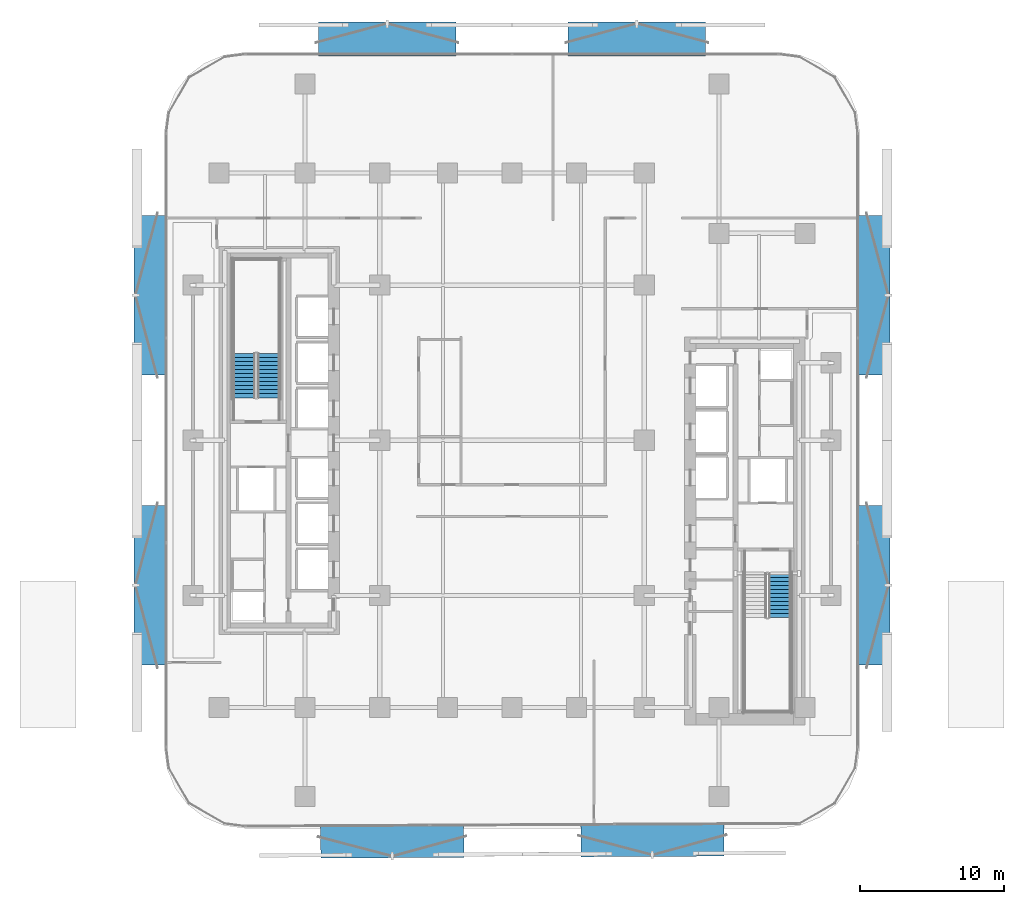
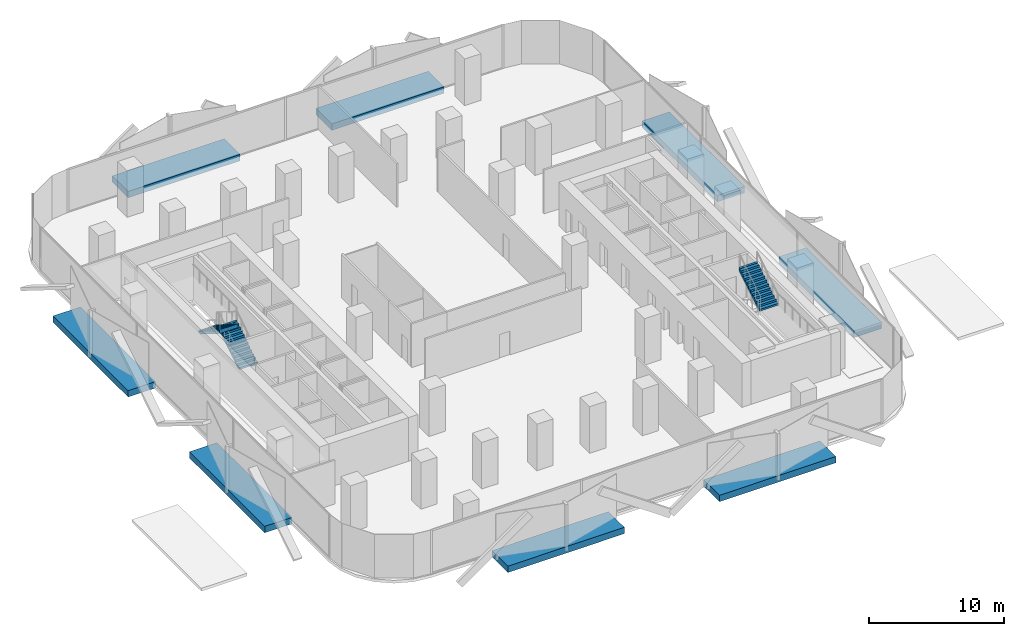
# One storey, part 6 of 16: 8 discrete accessories, 3 stair flights, 2 elements without a shape of their own.
"""IFC4 building model written with IfcOpenShell, lengths in metres."""

from ifc_helpers import new_model, si_unit, direction, frame, origin, origin_2d, place, context, subcontext, project, spatial, polyline, rectangle, outline, extrude, material, layer, layer_set, type_object, element, aggregate, save


model = new_model("IFC4")

# Units and contexts
model_context = context("Model", 3, precision=1e-05, world=origin(), true_north=direction((0.0, 1.0)))
body_context = subcontext(model_context, "Body", "Model", "MODEL_VIEW")
ifc_project = project(units=[si_unit("LENGTHUNIT", "METRE"), si_unit("AREAUNIT", "SQUARE_METRE"), si_unit("VOLUMEUNIT", "CUBIC_METRE"), si_unit("PLANEANGLEUNIT", "RADIAN"), si_unit("MASSUNIT", "GRAM", prefix="KILO")], contexts=[model_context])

# Site, building, storey
site_placement = place(None, origin())
site = spatial("IfcSite", under=ifc_project, at=site_placement, CompositionType="ELEMENT")
building_placement = place(site_placement, origin())
building = spatial("IfcBuilding", under=site, at=building_placement, Name="Khairoan Windgate Tower", CompositionType="ELEMENT")
storey_placement = place(building_placement, frame((0.0, 0.0, 26.0)))
storey = spatial("IfcBuildingStorey", under=building, at=storey_placement, Name="L06", CompositionType="ELEMENT", Elevation=26.0)

# Stair, stair flight
ifc_material_1 = material(Name="Concrete C40/50", Category="concrete")
stair_type = type_object("IfcStairType", Name="Tower Core Dog-Leg Stair ST-T1 1560mm", PredefinedType="HALF_TURN_STAIR", material=ifc_material_1)
stair_1_placement = place(storey_placement, origin())
stair_1 = element("IfcStair", 1, at=stair_1_placement, inside=storey, type_object=stair_type, Name="L06 Stair ST1", PredefinedType="HALF_TURN_STAIR")
ifc_material_2 = material(Name="Concrete C40/50", Category="concrete")
ifc_layer = layer(ifc_material_2, 0.14990234375, Name="Concrete C40/50")
ifc_layer_set = layer_set([ifc_layer], Name="Concrete C40/50")
stair_flight_type = type_object("IfcStairFlightType", Name="Tower Core Stair Flight STF-1560", PredefinedType="STRAIGHT", material=ifc_layer_set)
stair_flight_1_placement = place(storey_placement, frame((18.639892578125, -12.340087890625, 2.10009765625), z_axis=(0.0, 0.0, 1.0), x_axis=(0.0, 1.0, 0.0)))
stair_flight_1 = element("IfcStairFlight", 2, at=stair_flight_1_placement, type_object=stair_flight_type, Name="ST1 flight 2", NumberOfRisers=12, NumberOfTreads=11, PredefinedType="STRAIGHT", RiserHeight=0.175, TreadLength=0.28, context=body_context, shape_type="SweptSolid", body=[
    extrude(outline(polyline([(-0.00390625, 0.0), (-0.00390625, 0.175048828125), (0.0, 0.175048828125), (0.280029296875, 0.175048828125), (0.280029296875, 0.35009765625), (0.56005859375, 0.35009765625), (0.56005859375, 0.52490234375), (0.840087890625, 0.52490234375), (0.840087890625, 0.699951171875), (1.1201171875, 0.699951171875), (1.1201171875, 0.875), (1.39990234375, 0.875), (1.39990234375, 1.050048828125), (1.679931640625, 1.050048828125), (1.679931640625, 1.22509765625), (1.9599609375, 1.22509765625), (1.9599609375, 1.39990234375), (2.239990234375, 1.39990234375), (2.239990234375, 1.574951171875), (2.52001953125, 1.574951171875), (2.52001953125, 1.75), (2.800048828125, 1.75), (2.800048828125, 1.925048828125), (3.080078125, 1.925048828125), (3.080078125, 2.10009765625), (3.083984375, 2.10009765625), (3.083984375, 1.748291015625), (0.28271484375, 0.0), (-0.00390625, 0.0)])), frame((0.0, 0.780029296875, 0.0), z_axis=(0.0, -1.0, 0.0), x_axis=(1.0, 0.0, 0.0)), (0.0, 0.0, 1.0), 1.56005859375),
])
aggregate(stair_1, [stair_flight_1])

# Stair, stair flights
stair_2_placement = place(storey_placement, origin())
stair_2 = element("IfcStair", 3, at=stair_2_placement, inside=storey, type_object=stair_type, Name="L06 Stair ST2", PredefinedType="HALF_TURN_STAIR")
stair_flight_2_placement = place(storey_placement, frame((-16.929931640625, 2.9599609375, 0.0), z_axis=(0.0, 0.0, 1.0), x_axis=(0.0, 1.0, 0.0)))
stair_flight_2 = element("IfcStairFlight", 4, at=stair_flight_2_placement, type_object=stair_flight_type, Name="ST2 flight 1", NumberOfRisers=12, NumberOfTreads=11, PredefinedType="STRAIGHT", RiserHeight=0.175, TreadLength=0.28, context=body_context, shape_type="SweptSolid", body=[
    extrude(outline(polyline([(-0.00390625, 0.0), (-0.00390625, 0.175048828125), (0.0, 0.175048828125), (0.280029296875, 0.175048828125), (0.280029296875, 0.35009765625), (0.56005859375, 0.35009765625), (0.56005859375, 0.52490234375), (0.840087890625, 0.52490234375), (0.840087890625, 0.699951171875), (1.1201171875, 0.699951171875), (1.1201171875, 0.875), (1.39990234375, 0.875), (1.39990234375, 1.050048828125), (1.679931640625, 1.050048828125), (1.679931640625, 1.22509765625), (1.9599609375, 1.22509765625), (1.9599609375, 1.39990234375), (2.239990234375, 1.39990234375), (2.239990234375, 1.574951171875), (2.52001953125, 1.574951171875), (2.52001953125, 1.75), (2.800048828125, 1.75), (2.800048828125, 1.925048828125), (3.080078125, 1.925048828125), (3.080078125, 2.10009765625), (3.083984375, 2.10009765625), (3.083984375, 1.748291015625), (0.28271484375, 0.0), (-0.00390625, 0.0)])), frame((0.0, 0.780029296875, 0.0), z_axis=(0.0, -1.0, 0.0), x_axis=(1.0, 0.0, 0.0)), (0.0, 0.0, 1.0), 1.56005859375),
])
stair_flight_3_placement = place(storey_placement, frame((-18.639892578125, 6.0400390625, 2.10009765625), z_axis=(0.0, 0.0, 1.0), x_axis=(0.0, -1.0, 0.0)))
stair_flight_3 = element("IfcStairFlight", 5, at=stair_flight_3_placement, type_object=stair_flight_type, Name="ST2 flight 2", NumberOfRisers=12, NumberOfTreads=11, PredefinedType="STRAIGHT", RiserHeight=0.175, TreadLength=0.28, context=body_context, shape_type="SweptSolid", body=[
    extrude(outline(polyline([(-0.00390625, 0.0), (-0.00390625, 0.175048828125), (0.0, 0.175048828125), (0.280029296875, 0.175048828125), (0.280029296875, 0.35009765625), (0.56005859375, 0.35009765625), (0.56005859375, 0.52490234375), (0.840087890625, 0.52490234375), (0.840087890625, 0.699951171875), (1.1201171875, 0.699951171875), (1.1201171875, 0.875), (1.39990234375, 0.875), (1.39990234375, 1.050048828125), (1.679931640625, 1.050048828125), (1.679931640625, 1.22509765625), (1.9599609375, 1.22509765625), (1.9599609375, 1.39990234375), (2.239990234375, 1.39990234375), (2.239990234375, 1.574951171875), (2.52001953125, 1.574951171875), (2.52001953125, 1.75), (2.800048828125, 1.75), (2.800048828125, 1.925048828125), (3.080078125, 1.925048828125), (3.080078125, 2.10009765625), (3.083984375, 2.10009765625), (3.083984375, 1.748291015625), (0.28271484375, 0.0), (-0.00390625, 0.0)])), frame((0.0, 0.780029296875, 0.0), z_axis=(0.0, -1.0, 0.0), x_axis=(1.0, 0.0, 0.0)), (0.0, 0.0, 1.0), 1.56005859375),
])
aggregate(stair_2, [stair_flight_2, stair_flight_3])

# Discrete accessories
ifc_material_3 = material(Name="Steel S355", Category="steel")
discrete_accessory_type = type_object("IfcDiscreteAccessoryType", Name="Solar Screen Outrigger Slab Bracket SSB-1", PredefinedType="BRACKET", material=ifc_material_3)
for number, where, z_axis, x_axis, name in (
    (6, (9.76708984375, -27.79248046875, -0.419921875), (0.0, 0.0, 1.0), (-0.999988059021, -0.004886902454, 0.0), "L06 Solar Screen Outrigger Bracket 1"),
    (7, (-8.334716796875, -27.88037109375, -0.419921875), (0.0, 0.0, 1.0), (-0.999988059021, -0.004886902454, 0.0), "L06 Solar Screen Outrigger Bracket 2"),
):
    element("IfcDiscreteAccessory", number, at=place(storey_placement, frame(where, z_axis=z_axis, x_axis=x_axis)), inside=storey, type_object=discrete_accessory_type, Name=name, PredefinedType="BRACKET", context=body_context, shape_type="SweptSolid", body=[
        extrude(rectangle(XDim=9.9560546875, YDim=2.340087890625, at=origin_2d()), origin(), (0.0, 0.0, 1.0), 0.580078125),
    ])
for number, where, z_axis, x_axis, name in (
    (8, (-25.1298828125, -10.095458984375, -0.419921875), (0.0, 0.0, 1.0), (0.0, 1.0, 0.0), "L06 Solar Screen Outrigger Bracket 3"),
    (9, (-25.1298828125, 10.095458984375, -0.419921875), (0.0, 0.0, 1.0), (0.0, 1.0, 0.0), "L06 Solar Screen Outrigger Bracket 4"),
):
    element("IfcDiscreteAccessory", number, at=place(storey_placement, frame(where, z_axis=z_axis, x_axis=x_axis)), inside=storey, type_object=discrete_accessory_type, Name=name, PredefinedType="BRACKET", context=body_context, shape_type="SweptSolid", body=[
        extrude(rectangle(XDim=11.10498046875, YDim=2.340087890625, at=origin_2d()), origin(), (0.0, 0.0, 1.0), 0.580078125),
    ])
for number, where, z_axis, x_axis, name in (
    (10, (-8.6953125, 27.929931640625, -0.419921875), (0.0, 0.0, 1.0), (1.0, 0.0, 0.0), "L06 Solar Screen Outrigger Bracket 5"),
    (11, (8.6953125, 27.929931640625, -0.419921875), (0.0, 0.0, 1.0), (1.0, 0.0, 0.0), "L06 Solar Screen Outrigger Bracket 6"),
):
    element("IfcDiscreteAccessory", number, at=place(storey_placement, frame(where, z_axis=z_axis, x_axis=x_axis)), inside=storey, type_object=discrete_accessory_type, Name=name, PredefinedType="BRACKET", context=body_context, shape_type="SweptSolid", body=[
        extrude(rectangle(XDim=9.56494140625, YDim=2.340087890625, at=origin_2d()), origin(), (0.0, 0.0, 1.0), 0.580078125),
    ])
for number, where, z_axis, x_axis, name in (
    (12, (25.1298828125, 10.095458984375, -0.419921875), (0.0, 0.0, 1.0), (0.0, -1.0, 0.0), "L06 Solar Screen Outrigger Bracket 7"),
    (13, (25.1298828125, -10.095458984375, -0.419921875), (0.0, 0.0, 1.0), (0.0, -1.0, 0.0), "L06 Solar Screen Outrigger Bracket 8"),
):
    element("IfcDiscreteAccessory", number, at=place(storey_placement, frame(where, z_axis=z_axis, x_axis=x_axis)), inside=storey, type_object=discrete_accessory_type, Name=name, PredefinedType="BRACKET", context=body_context, shape_type="SweptSolid", body=[
        extrude(rectangle(XDim=11.10498046875, YDim=2.340087890625, at=origin_2d()), origin(), (0.0, 0.0, 1.0), 0.580078125),
    ])

save(model, "model.ifc")
